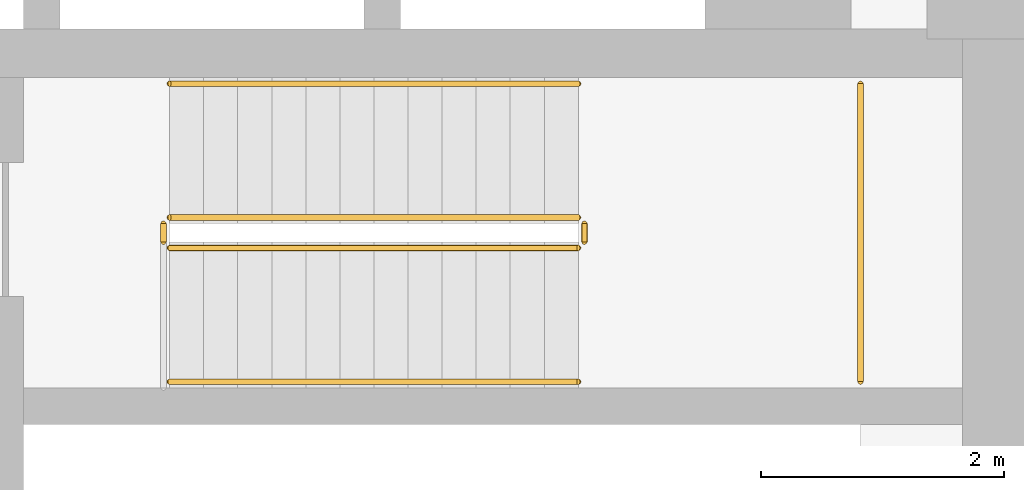
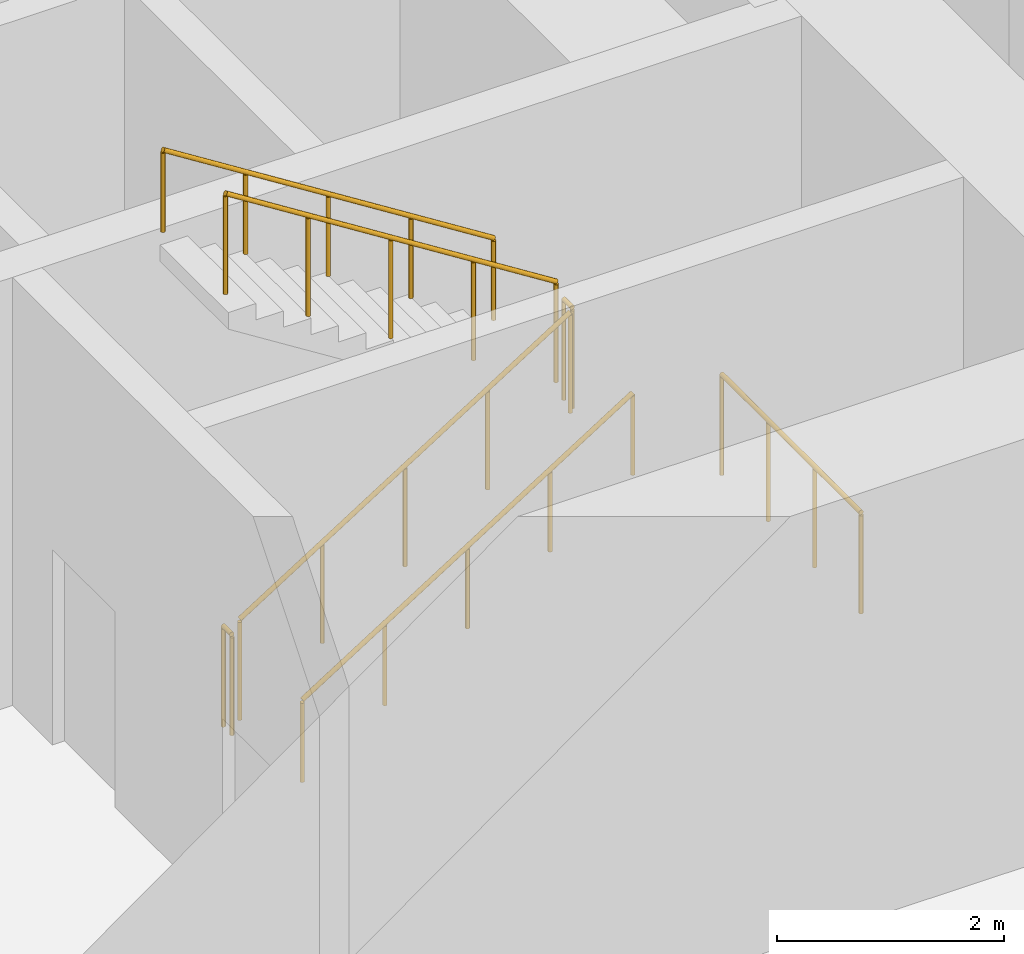
# One storey, part 16 of 20: 7 railings.
"""IFC4 building model written with IfcOpenShell, lengths in metres."""

from ifc_helpers import new_model, si_unit, direction, frame, origin, origin_2d, place, context, subcontext, project, spatial, circle, extrude, material, type_object, element, save


model = new_model("IFC4")

# Units and contexts
model_context = context("Model", 3, precision=1e-05, world=origin(), true_north=direction((0.0, 1.0)))
body_context = subcontext(model_context, "Body", "Model", "MODEL_VIEW")
ifc_project = project(units=[si_unit("LENGTHUNIT", "METRE"), si_unit("AREAUNIT", "SQUARE_METRE"), si_unit("VOLUMEUNIT", "CUBIC_METRE"), si_unit("PLANEANGLEUNIT", "RADIAN"), si_unit("MASSUNIT", "GRAM", prefix="KILO")], contexts=[model_context])

# Site, building, storey
site_placement = place(None, origin())
site = spatial("IfcSite", under=ifc_project, at=site_placement, CompositionType="ELEMENT")
building_placement = place(site_placement, origin())
building = spatial("IfcBuilding", under=site, at=building_placement, Name="Ostrand Prow Hotel Tower", CompositionType="ELEMENT")
storey_placement = place(building_placement, frame((0.0, 0.0, 35.0)))
storey = spatial("IfcBuildingStorey", under=building, at=storey_placement, Name="L06", CompositionType="ELEMENT", Elevation=35.0)

# Railings
ifc_material_1 = material(Name="Painted steel", Category="steel")
railing_type_1 = type_object("IfcRailingType", Name="Stair guard 1100", PredefinedType="GUARDRAIL", material=ifc_material_1)
railing_1_placement = place(storey_placement, frame((57.199951171875, -11.75, 0.177001953125)))
element("IfcRailing", 1, at=railing_1_placement, inside=storey, type_object=railing_type_1, Name="L06 ST2C stair guard 1", PredefinedType="GUARDRAIL", context=body_context, shape_type="SweptSolid", body=[
    extrude(circle(Radius=0.02392578125, at=origin_2d()), frame((0.0, 0.0, 1.076171875), z_axis=(0.845389635667, 0.0, 0.534150132366), x_axis=(0.0, 1.0, 0.0)), (0.0, 0.0, 1.0), 3.974609375),
    extrude(circle(Radius=0.02099609375, at=origin_2d()), origin(), (0.0, 0.0, 1.0), 1.052001953125),
    extrude(circle(Radius=0.02099609375, at=origin_2d()), frame((0.840087890625, 0.0, 0.53076171875)), (0.0, 0.0, 1.0), 1.052001953125),
    extrude(circle(Radius=0.02099609375, at=origin_2d()), frame((1.68017578125, 0.0, 1.0615234375)), (0.0, 0.0, 1.0), 1.052001953125),
    extrude(circle(Radius=0.02099609375, at=origin_2d()), frame((2.52001953125, 0.0, 1.59228515625)), (0.0, 0.0, 1.0), 1.052001953125),
    extrude(circle(Radius=0.02099609375, at=origin_2d()), frame((3.360107421875, 0.0, 2.123046875)), (0.0, 0.0, 1.0), 1.052001953125),
])
railing_2_placement = place(storey_placement, frame((60.610107421875, -11.699951171875, 2.300048828125)))
element("IfcRailing", 2, at=railing_2_placement, inside=storey, type_object=railing_type_1, Name="L06 ST2C stair guard 2", PredefinedType="GUARDRAIL", context=body_context, shape_type="SweptSolid", body=[
    extrude(circle(Radius=0.02392578125, at=origin_2d()), frame((0.0, 0.0, 1.076171875), z_axis=(0.0, 1.0, 0.0), x_axis=(-1.0, 0.0, 0.0)), (0.0, 0.0, 1.0), 0.14990234375),
    extrude(circle(Radius=0.02099609375, at=origin_2d()), origin(), (0.0, 0.0, 1.0), 1.052001953125),
    extrude(circle(Radius=0.02099609375, at=origin_2d()), frame((0.0, 0.14990234375, 0.0)), (0.0, 0.0, 1.0), 1.052001953125),
])
railing_3_placement = place(storey_placement, frame((60.56005859375, -11.5, 2.476806640625)))
element("IfcRailing", 3, at=railing_3_placement, inside=storey, type_object=railing_type_1, Name="L06 ST2C stair guard 3", PredefinedType="GUARDRAIL", context=body_context, shape_type="SweptSolid", body=[
    extrude(circle(Radius=0.02392578125, at=origin_2d()), frame((0.0, 0.0, 1.076171875), z_axis=(-0.845361898145, 0.0, 0.534194029511), x_axis=(0.0, -1.0, 0.0)), (0.0, 0.0, 1.0), 3.974853515625),
    extrude(circle(Radius=0.02099609375, at=origin_2d()), origin(), (0.0, 0.0, 1.0), 1.052001953125),
    extrude(circle(Radius=0.02099609375, at=origin_2d()), frame((-0.840087890625, 0.0, 0.53076171875)), (0.0, 0.0, 1.0), 1.052001953125),
    extrude(circle(Radius=0.02099609375, at=origin_2d()), frame((-1.68017578125, 0.0, 1.0615234375)), (0.0, 0.0, 1.0), 1.052001953125),
    extrude(circle(Radius=0.02099609375, at=origin_2d()), frame((-2.52001953125, 0.0, 1.592529296875)), (0.0, 0.0, 1.0), 1.052001953125),
    extrude(circle(Radius=0.02099609375, at=origin_2d()), frame((-3.360107421875, 0.0, 2.123291015625)), (0.0, 0.0, 1.0), 1.052001953125),
])
railing_4_placement = place(storey_placement, frame((57.14990234375, -11.699951171875, 0.0)))
element("IfcRailing", 4, at=railing_4_placement, inside=storey, type_object=railing_type_1, Name="L06 ST2C stair guard 4", PredefinedType="GUARDRAIL", context=body_context, shape_type="SweptSolid", body=[
    extrude(circle(Radius=0.02392578125, at=origin_2d()), frame((0.0, 0.0, 1.076171875), z_axis=(0.0, 1.0, 0.0), x_axis=(-1.0, 0.0, 0.0)), (0.0, 0.0, 1.0), 0.14990234375),
    extrude(circle(Radius=0.02099609375, at=origin_2d()), origin(), (0.0, 0.0, 1.0), 1.052001953125),
    extrude(circle(Radius=0.02099609375, at=origin_2d()), frame((0.0, 0.14990234375, 0.0)), (0.0, 0.0, 1.0), 1.052001953125),
])
railing_5_placement = place(storey_placement, frame((62.8798828125, -12.85009765625, 0.0)))
element("IfcRailing", 5, at=railing_5_placement, inside=storey, type_object=railing_type_1, Name="ST2 stair edge guard", PredefinedType="GUARDRAIL", context=body_context, shape_type="SweptSolid", body=[
    extrude(circle(Radius=0.02392578125, at=origin_2d()), frame((0.0, 0.0, 1.076171875), z_axis=(0.0, 1.0, 0.0), x_axis=(-1.0, 0.0, 0.0)), (0.0, 0.0, 1.0), 2.4501953125),
    extrude(circle(Radius=0.02099609375, at=origin_2d()), origin(), (0.0, 0.0, 1.0), 1.052001953125),
    extrude(circle(Radius=0.02099609375, at=origin_2d()), frame((0.0, 0.816650390625, 0.0)), (0.0, 0.0, 1.0), 1.052001953125),
    extrude(circle(Radius=0.02099609375, at=origin_2d()), frame((0.0, 1.633544921875, 0.0)), (0.0, 0.0, 1.0), 1.052001953125),
    extrude(circle(Radius=0.02099609375, at=origin_2d()), frame((0.0, 2.4501953125, 0.0)), (0.0, 0.0, 1.0), 1.052001953125),
])
ifc_material_2 = material(Name="Stainless steel", Category="steel")
railing_type_2 = type_object("IfcRailingType", Name="Stair handrail 900", PredefinedType="HANDRAIL", material=ifc_material_2)
railing_6_placement = place(storey_placement, frame((57.199951171875, -12.85009765625, 0.177001953125)))
element("IfcRailing", 6, at=railing_6_placement, inside=storey, type_object=railing_type_2, Name="L06 ST2C stair handrail 1", PredefinedType="HANDRAIL", context=body_context, shape_type="SweptSolid", body=[
    extrude(circle(Radius=0.02392578125, at=origin_2d()), frame((0.0, 0.0, 0.8759765625), z_axis=(0.845389635667, 0.0, 0.534150132366), x_axis=(0.0, 1.0, 0.0)), (0.0, 0.0, 1.0), 3.974609375),
    extrude(circle(Radius=0.02099609375, at=origin_2d()), origin(), (0.0, 0.0, 1.0), 0.851806640625),
    extrude(circle(Radius=0.02099609375, at=origin_2d()), frame((0.840087890625, 0.0, 0.53076171875)), (0.0, 0.0, 1.0), 0.851806640625),
    extrude(circle(Radius=0.02099609375, at=origin_2d()), frame((1.68017578125, 0.0, 1.0615234375)), (0.0, 0.0, 1.0), 0.851806640625),
    extrude(circle(Radius=0.02099609375, at=origin_2d()), frame((2.52001953125, 0.0, 1.59228515625)), (0.0, 0.0, 1.0), 0.851806640625),
    extrude(circle(Radius=0.02099609375, at=origin_2d()), frame((3.360107421875, 0.0, 2.123046875)), (0.0, 0.0, 1.0), 0.851806640625),
])
railing_7_placement = place(storey_placement, frame((60.56005859375, -10.39990234375, 2.476806640625)))
element("IfcRailing", 7, at=railing_7_placement, inside=storey, type_object=railing_type_2, Name="L06 ST2C stair handrail 2", PredefinedType="HANDRAIL", context=body_context, shape_type="SweptSolid", body=[
    extrude(circle(Radius=0.02392578125, at=origin_2d()), frame((0.0, 0.0, 0.8759765625), z_axis=(-0.845361898145, 0.0, 0.534194029511), x_axis=(0.0, -1.0, 0.0)), (0.0, 0.0, 1.0), 3.974853515625),
    extrude(circle(Radius=0.02099609375, at=origin_2d()), origin(), (0.0, 0.0, 1.0), 0.851806640625),
    extrude(circle(Radius=0.02099609375, at=origin_2d()), frame((-0.840087890625, 0.0, 0.53076171875)), (0.0, 0.0, 1.0), 0.851806640625),
    extrude(circle(Radius=0.02099609375, at=origin_2d()), frame((-1.68017578125, 0.0, 1.0615234375)), (0.0, 0.0, 1.0), 0.851806640625),
    extrude(circle(Radius=0.02099609375, at=origin_2d()), frame((-2.52001953125, 0.0, 1.592529296875)), (0.0, 0.0, 1.0), 0.851806640625),
    extrude(circle(Radius=0.02099609375, at=origin_2d()), frame((-3.360107421875, 0.0, 2.123291015625)), (0.0, 0.0, 1.0), 0.851806640625),
])

save(model, "model.ifc")
